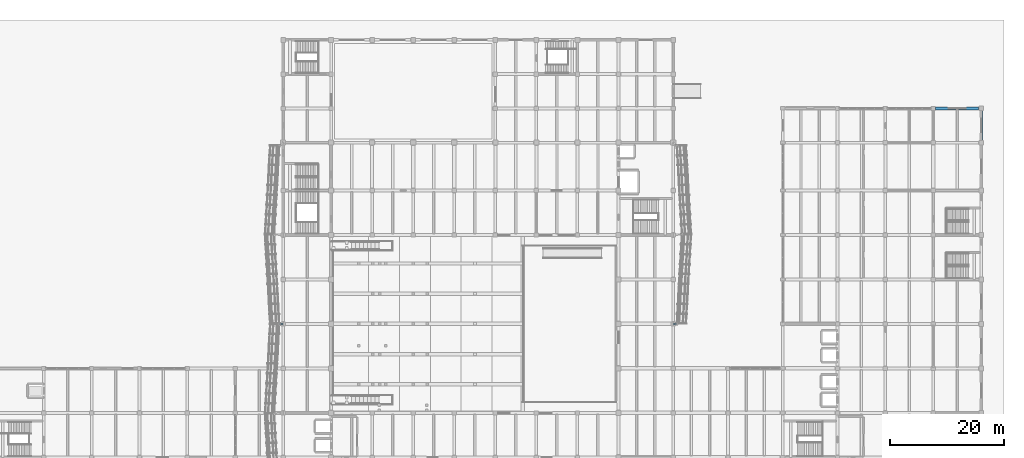
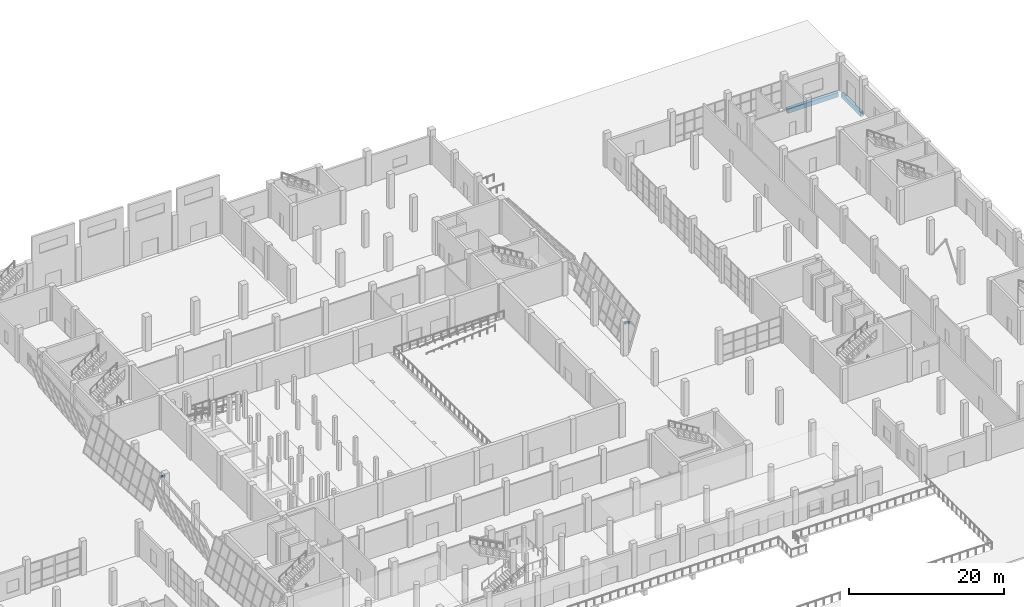
# One storey, part 45 of 78: 4 beams.
"""IFC4 building model written with IfcOpenShell, lengths in metres."""

from ifc_helpers import new_model, si_unit, direction, frame, origin, origin_2d, place, context, subcontext, project, spatial, rectangle, hollow_rectangle, extrude, material, material_profile, profile_set, type_object, element, save


model = new_model("IFC4")

# Units and contexts
model_context = context("Model", 3, precision=1e-05, world=origin(), true_north=direction((0.0, 1.0)))
body_context = subcontext(model_context, "Body", "Model", "MODEL_VIEW")
ifc_project = project(units=[si_unit("LENGTHUNIT", "METRE"), si_unit("AREAUNIT", "SQUARE_METRE"), si_unit("VOLUMEUNIT", "CUBIC_METRE"), si_unit("PLANEANGLEUNIT", "RADIAN"), si_unit("MASSUNIT", "GRAM", prefix="KILO")], contexts=[model_context])

# Site, building, storey
site_placement = place(None, origin())
site = spatial("IfcSite", under=ifc_project, at=site_placement, CompositionType="ELEMENT")
building_placement = place(site_placement, origin())
building = spatial("IfcBuilding", under=site, at=building_placement, Name="Pellamere Symphony Hall", CompositionType="ELEMENT")
storey_placement = place(building_placement, origin())
storey = spatial("IfcBuildingStorey", under=building, at=storey_placement, Name="L00", CompositionType="ELEMENT", Elevation=0.0)

# Beams
ifc_material_1 = material(Name="Concrete 40 MPa", Category="concrete")
ifc_material_profile_1 = material_profile(ifc_material_1, rectangle(XDim=0.5, YDim=0.699951171875, at=origin_2d()), Name="RC 500x700")
ifc_profile_set_1 = profile_set([ifc_material_profile_1], Name="Concrete 40 MPa")
beam_type_1 = type_object("IfcBeamType", Name="RC CB-07 500x700", PredefinedType="BEAM", material=ifc_profile_set_1)
beam_1_placement = place(storey_placement, frame((164.800048828125, 99.60009765625, -0.64990234375), z_axis=(1.0, 0.0, 0.0), x_axis=(0.0, 1.0, 0.0)))
element("IfcBeam", 1, at=beam_1_placement, inside=storey, type_object=beam_type_1, Name="Girder CB-07-X0182 (L00)", PredefinedType="BEAM", context=body_context, shape_type="SweptSolid", body=[
    extrude(rectangle(XDim=0.5, YDim=0.699951171875, at=origin_2d()), origin(), (0.0, 0.0, 1.0), 7.56005859375),
])
ifc_material_profile_2 = material_profile(ifc_material_1, rectangle(XDim=0.39990234375, YDim=0.699951171875, at=origin_2d()), Name="RC 400x700")
ifc_profile_set_2 = profile_set([ifc_material_profile_2], Name="Concrete 40 MPa")
beam_type_2 = type_object("IfcBeamType", Name="RC CB-13 400x700", PredefinedType="SPANDREL", material=ifc_profile_set_2)
beam_2_placement = place(storey_placement, frame((172.800048828125, 94.0400390625, -0.64990234375), z_axis=(0.0, 1.0, 0.0), x_axis=(-1.0, 0.0, 0.0)))
element("IfcBeam", 2, at=beam_2_placement, inside=storey, type_object=beam_type_2, Name="Girder CB-13-Y0389 (L00)", PredefinedType="SPANDREL", context=body_context, shape_type="SweptSolid", body=[
    extrude(rectangle(XDim=0.39990234375, YDim=0.699951171875, at=origin_2d()), origin(), (0.0, 0.0, 1.0), 5.119873046875),
])
ifc_material_2 = material(Name="Steel CSA G40.21 350W", Category="steel")
ifc_material_profile_3 = material_profile(ifc_material_2, hollow_rectangle(XDim=0.203125, YDim=0.3046875, WallThickness=0.0126953125, at=origin_2d()), Name="HSS305X203X13")
ifc_profile_set_3 = profile_set([ifc_material_profile_3], Name="Steel CSA G40.21 350W")
beam_type_3 = type_object("IfcBeamType", Name="Steel Spandrel SB-26 HSS305X203X13", PredefinedType="SPANDREL", material=ifc_profile_set_3)
for number, where, z_axis, x_axis, name in (
    (3, (118.800048828125, 61.800048828125, 4.840087890625), (1.0, 0.0, 0.0), (0.0, 1.0, 0.0), "Crystal Ring Outrigger Bracket 027 (L00)"),
    (4, (50.39990234375, 61.800048828125, 4.840087890625), (-1.0, 0.0, 0.0), (0.0, -1.0, 0.0), "Crystal Ring Outrigger Bracket 097 (L00)"),
):
    element("IfcBeam", number, at=place(storey_placement, frame(where, z_axis=z_axis, x_axis=x_axis)), inside=storey, type_object=beam_type_3, Name=name, PredefinedType="SPANDREL", context=body_context, shape_type="SweptSolid", body=[
        extrude(hollow_rectangle(XDim=0.203125, YDim=0.3046875, WallThickness=0.0126953125, at=origin_2d()), origin(), (0.0, 0.0, 1.0), 0.64990234375),
    ])

save(model, "model.ifc")
